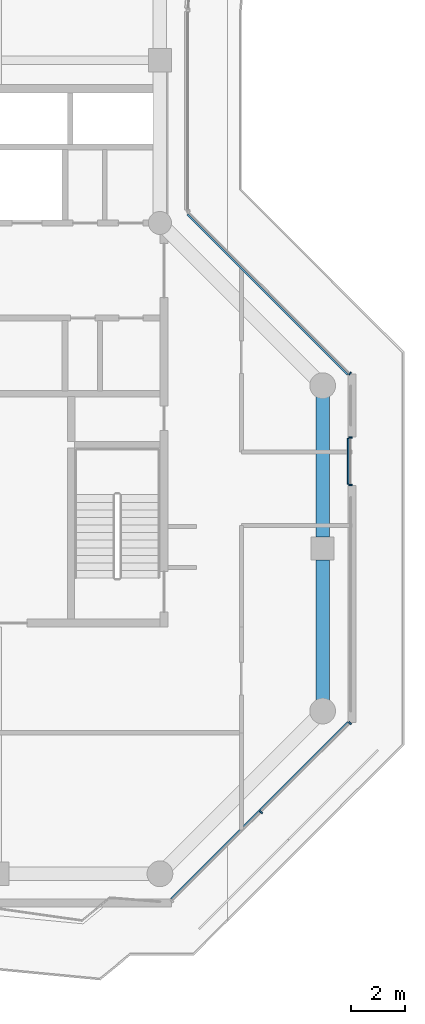
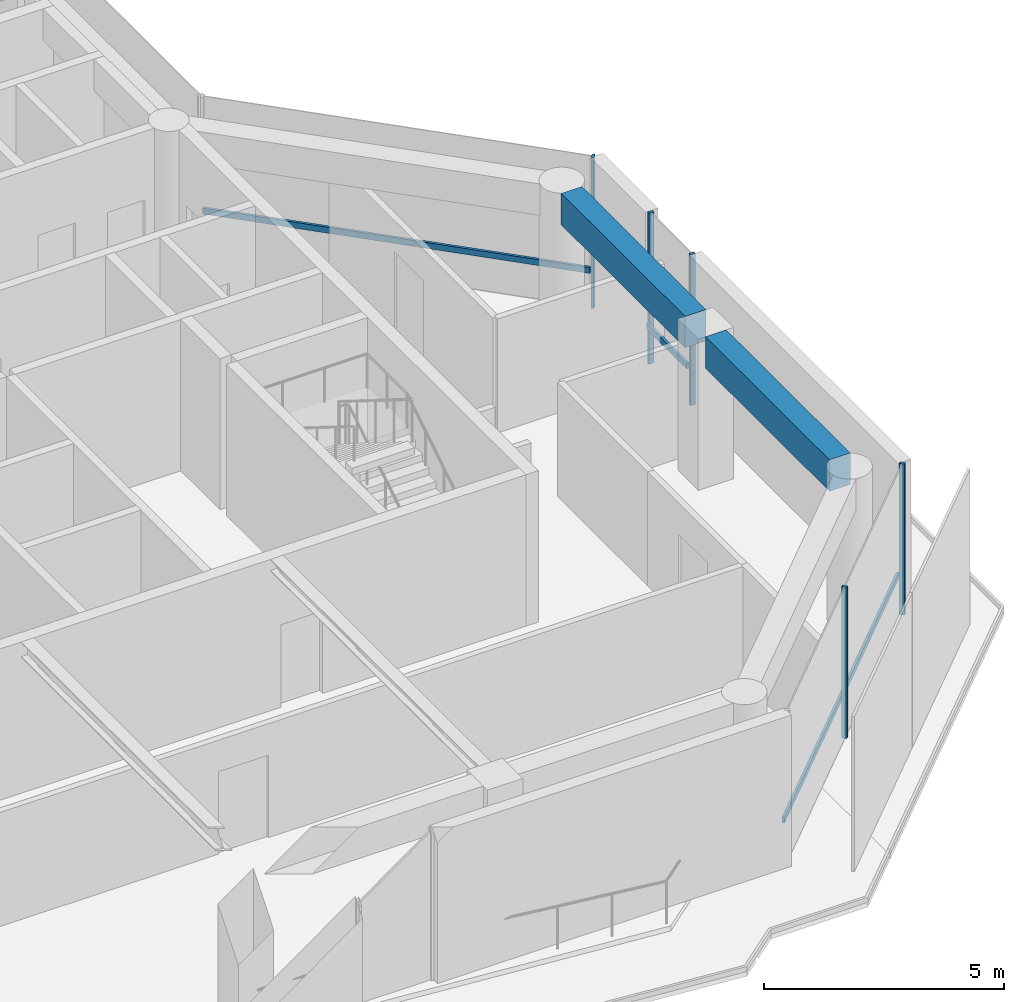
# One storey, part 6 of 25: 8 members, 2 beams, 3 elements without a shape of their own.
"""IFC4 building model written with IfcOpenShell, lengths in metres."""

import ifcopenshell
import ifcopenshell.guid

model = None  # the IFC model being written
_history = None  # IfcOwnerHistory: only IFC2X3 demands one
_inside = {}  # id of a spatial element -> (the spatial element, [elements in it])
_under = {}  # id of a project, library or spatial element -> (it, [spatial elements below it])
_declared = {}  # id of a project -> (the project, [libraries it declares])
_typed = {}  # id of a type object -> (the type object, [elements of that type])
_made_of = {}  # id of a material, layer set ... -> (it, [elements and type objects made of it])


def new_model(schema):
    """Start an empty IFC model of exactly this schema.

    Asked for "IFC4X3", IfcOpenShell would pick the latest addendum, in which some entities
    have other attributes; the version numbers below select the first issue.
    IFC2X3 requires an IfcOwnerHistory on every rooted entity: one is made here for all.
    """
    global model, _history
    if schema == "IFC4X3":
        model = ifcopenshell.file(schema_version=(4, 3, 0, 0))
    else:
        model = ifcopenshell.file(schema=schema)
    _inside.clear()
    _under.clear()
    _declared.clear()
    _typed.clear()
    _made_of.clear()
    _history = None
    if model.schema == "IFC2X3":
        org = make("IfcOrganization", Name="unknown")
        user = make(
            "IfcPersonAndOrganization",
            ThePerson=make("IfcPerson", FamilyName="unknown"),
            TheOrganization=org,
        )
        app = make(
            "IfcApplication",
            ApplicationDeveloper=org,
            Version="unknown",
            ApplicationFullName="unknown",
            ApplicationIdentifier="unknown",
        )
        _history = make(
            "IfcOwnerHistory",
            OwningUser=user,
            OwningApplication=app,
            ChangeAction="ADDED",
            CreationDate=0,
        )
    return model


def make(cls, **values):
    """One entity of the class cls with the attributes given. An attribute that is None is left unset."""
    return model.create_entity(
        cls, **{name: value for name, value in values.items() if value is not None}
    )


def rooted(cls, **values):
    """An entity with a GlobalId (a new one), such as an element, a storey or a relation."""
    return make(cls, GlobalId=ifcopenshell.guid.new(), OwnerHistory=_history, **values)


def si_unit(unit_type, name, prefix=None):
    """IfcSIUnit, for example si_unit("LENGTHUNIT", "METRE", prefix="MILLI")."""
    return make("IfcSIUnit", UnitType=unit_type, Prefix=prefix, Name=name)


def assignment(units):
    """IfcUnitAssignment: the units of a project."""
    return None if units is None else make("IfcUnitAssignment", Units=units)


def point(xyz):
    """IfcCartesianPoint."""
    return None if xyz is None else make("IfcCartesianPoint", Coordinates=xyz)


def direction(xyz):
    """IfcDirection."""
    return None if xyz is None else make("IfcDirection", DirectionRatios=xyz)


def frame(location, z_axis=None, x_axis=None):
    """IfcAxis2Placement3D, a coordinate frame: its origin and axes. An axis left out is left unset."""
    return make(
        "IfcAxis2Placement3D",
        Location=point(location),
        Axis=direction(z_axis),
        RefDirection=direction(x_axis),
    )


def frame_2d(location, x_axis=None):
    """IfcAxis2Placement2D, a coordinate frame in the plane: its origin and x axis."""
    return make(
        "IfcAxis2Placement2D", Location=point(location), RefDirection=direction(x_axis)
    )


def origin():
    """The frame at (0, 0, 0) with its axes left unset."""
    return frame((0.0, 0.0, 0.0))


def origin_2d():
    """The frame at (0, 0) in the plane with its x axis left unset."""
    return frame_2d((0.0, 0.0))


def place(relative_to, where):
    """IfcLocalPlacement: puts the frame where relative to a parent placement (None: the world)."""
    return make(
        "IfcLocalPlacement", PlacementRelTo=relative_to, RelativePlacement=where
    )


def context(
    kind, dimensions, precision=None, world=None, true_north=None, identifier=None
):
    """IfcGeometricRepresentationContext, for example the 3D "Model" context."""
    return make(
        "IfcGeometricRepresentationContext",
        ContextIdentifier=identifier,
        ContextType=kind,
        CoordinateSpaceDimension=dimensions,
        Precision=precision,
        WorldCoordinateSystem=world,
        TrueNorth=true_north,
    )


def subcontext(parent, identifier, kind, view, scale=None):
    """IfcGeometricRepresentationSubContext, for example "Body" below "Model"."""
    return make(
        "IfcGeometricRepresentationSubContext",
        ContextIdentifier=identifier,
        ContextType=kind,
        ParentContext=parent,
        TargetScale=scale,
        TargetView=view,
    )


def project(units=None, contexts=None):
    """IfcProject with its units and contexts."""
    return rooted(
        "IfcProject",
        Name="project",
        RepresentationContexts=contexts,
        UnitsInContext=assignment(units),
    )


def spatial(cls, under=None, at=None, **own):
    """A site, building, storey or space (cls), placed at a placement, below another one or the project."""
    s = rooted(cls, ObjectPlacement=at, **own)
    if under is not None:
        _under.setdefault(under.id(), (under, []))[1].append(s)
    return s


def profile(cls, at=None, kind="AREA", **sizes):
    """A parametric profile (cls). Its sizes go by their IFC names, for example OverallWidth=200.0."""
    return make(cls, ProfileType=kind, Position=at, **sizes)


def rectangle(**sizes):
    """IfcRectangleProfileDef."""
    return profile("IfcRectangleProfileDef", **sizes)


def extrude(swept, where, along, depth):
    """IfcExtrudedAreaSolid: the profile swept, set in the frame where, extruded along a direction by depth."""
    return make(
        "IfcExtrudedAreaSolid",
        SweptArea=swept,
        Position=where,
        ExtrudedDirection=direction(along),
        Depth=depth,
    )


def shape(context_of_items, identifier, shape_type, items):
    """IfcShapeRepresentation: the items that make up one representation, for example the "Body"."""
    return make(
        "IfcShapeRepresentation",
        ContextOfItems=context_of_items,
        RepresentationIdentifier=identifier,
        RepresentationType=shape_type,
        Items=items,
    )


def material(Name=None, Category=None):
    """IfcMaterial."""
    return make("IfcMaterial", Name=Name, Category=Category)


def layer(
    of_material, thickness, ventilated=None, Name=None, Category=None, Priority=None
):
    """IfcMaterialLayer: one layer of a wall or slab, of a material (None: an air gap)."""
    return make(
        "IfcMaterialLayer",
        Material=of_material,
        LayerThickness=thickness,
        IsVentilated=ventilated,
        Name=Name,
        Category=Category,
        Priority=Priority,
    )


def layer_set(layers, Name=None):
    """IfcMaterialLayerSet."""
    return make("IfcMaterialLayerSet", MaterialLayers=layers, LayerSetName=Name)


def material_profile(
    of_material, cross_section, Name=None, Category=None, Priority=None
):
    """IfcMaterialProfile: a cross section and its material."""
    return make(
        "IfcMaterialProfile",
        Name=Name,
        Material=of_material,
        Profile=cross_section,
        Priority=Priority,
        Category=Category,
    )


def profile_set(profiles, Name=None, composite=None):
    """IfcMaterialProfileSet."""
    return make(
        "IfcMaterialProfileSet",
        Name=Name,
        MaterialProfiles=profiles,
        CompositeProfile=composite,
    )


def made_of(thing, what):
    """Note that an element or type object is made of a material, layer set ...; save() writes the relation."""
    if what is not None:
        _made_of.setdefault(what.id(), (what, []))[1].append(thing)
    return thing


def type_object(cls, material=None, **own):
    """A type object (cls), such as IfcWallType, which elements share."""
    return made_of(rooted(cls, **own), material)


def element(
    cls,
    number,
    at=None,
    inside=None,
    cuts=None,
    type_object=None,
    material=None,
    context=None,
    identifier="Body",
    shape_type=None,
    held_by="IfcProductDefinitionShape",
    body=None,
    shapes=None,
    **own,
):
    """One element of the class cls, such as IfcWall. Its Tag is "e" and its number.

    at: its placement. inside: the storey or other place that contains it. cuts: it is an
    opening in that element (IfcRelVoidsElement). A single representation is given by context,
    identifier, shape_type and body (its items); several are given by shapes. held_by: the class
    of the entity that holds the representations. save() writes the other relations.
    """
    e = rooted(cls, Tag="e%d" % number, ObjectPlacement=at, **own)
    if body is not None:
        shapes = [shape(context, identifier, shape_type, body)]
    if shapes is not None:
        e.Representation = make(held_by, Representations=shapes)
    if inside is not None:
        _inside.setdefault(inside.id(), (inside, []))[1].append(e)
    if cuts is not None:
        rooted(
            "IfcRelVoidsElement", RelatingBuildingElement=cuts, RelatedOpeningElement=e
        )
    if type_object is not None:
        _typed.setdefault(type_object.id(), (type_object, []))[1].append(e)
    return made_of(e, material)


def aggregate(whole, parts):
    """IfcRelAggregates: a whole, such as a stair, and the parts it consists of."""
    return rooted("IfcRelAggregates", RelatingObject=whole, RelatedObjects=parts)


def save(model, path):
    """Write the relations noted so far, then the file.

    IfcRelAggregates (storeys below a building ...), IfcRelContainedInSpatialStructure (elements
    in a storey), IfcRelDefinesByType, IfcRelAssociatesMaterial and IfcRelDeclares: one each for
    every whole, place, type object, material and project.
    """
    for whole, parts in _under.values():
        aggregate(whole, parts)
    for where, things in _inside.values():
        rooted(
            "IfcRelContainedInSpatialStructure",
            RelatedElements=things,
            RelatingStructure=where,
        )
    for kind, things in _typed.values():
        rooted("IfcRelDefinesByType", RelatedObjects=things, RelatingType=kind)
    for what, things in _made_of.values():
        rooted("IfcRelAssociatesMaterial", RelatedObjects=things, RelatingMaterial=what)
    for by, libraries in _declared.values():
        rooted("IfcRelDeclares", RelatingContext=by, RelatedDefinitions=libraries)
    model.write(path)


model = new_model("IFC4")

# Units and contexts
model_context = context("Model", 3, precision=1e-05, world=origin(), true_north=direction((0.0, 1.0)))
body_context = subcontext(model_context, "Body", "Model", "MODEL_VIEW")
ifc_project = project(units=[si_unit("LENGTHUNIT", "METRE"), si_unit("AREAUNIT", "SQUARE_METRE"), si_unit("VOLUMEUNIT", "CUBIC_METRE"), si_unit("PLANEANGLEUNIT", "RADIAN"), si_unit("MASSUNIT", "GRAM", prefix="KILO")], contexts=[model_context])

# Site, building, storey
site_placement = place(None, origin())
site = spatial("IfcSite", under=ifc_project, at=site_placement, CompositionType="ELEMENT")
building_placement = place(site_placement, origin())
building = spatial("IfcBuilding", under=site, at=building_placement, Name="Welwitschia Terrace Campus", CompositionType="ELEMENT")
storey_placement = place(building_placement, frame((0.0, 0.0, 264.199951171875)))
storey = spatial("IfcBuildingStorey", under=building, at=storey_placement, Name="L58", CompositionType="ELEMENT", Elevation=264.199951171875)

# Curtain wall, members
ifc_material_1 = material(Name="Bronze anodised aluminium", Category="aluminium")
ifc_layer = layer(ifc_material_1, 0.1201171875)
ifc_layer_set = layer_set([ifc_layer], Name="Bronze anodised aluminium")
curtain_wall_type = type_object("IfcCurtainWallType", Name="Curtain wall CW2 tower 6000", PredefinedType="NOTDEFINED", material=ifc_layer_set)
curtain_wall_1_placement = place(storey_placement, origin())
curtain_wall_1 = element("IfcCurtainWall", 1, at=curtain_wall_1_placement, inside=storey, type_object=curtain_wall_type, Name="CW L58.6.0", PredefinedType="NOTDEFINED")
ifc_material_2 = material(Name="Bronze anodised aluminium", Category="aluminium")
ifc_material_profile_1 = material_profile(ifc_material_2, rectangle(XDim=0.1201171875, YDim=0.06005859375, at=origin_2d()))
ifc_profile_set_1 = profile_set([ifc_material_profile_1], Name="Bronze anodised aluminium")
member_type_1 = type_object("IfcMemberType", Name="Mullion 60x120", PredefinedType="MULLION", material=ifc_profile_set_1)
member_1_placement = place(storey_placement, frame((27.728271484375, -1.728271484375, 0.0), z_axis=(0.0, 0.0, 1.0), x_axis=(-0.707106781187, 0.707106781187, 0.0)))
member_1 = element("IfcMember", 2, at=member_1_placement, type_object=member_type_1, Name="Mullion L58.6.0.1", PredefinedType="MULLION", context=body_context, shape_type="SweptSolid", body=[
    extrude(rectangle(XDim=0.1201171875, YDim=0.06005859375, at=origin_2d()), origin(), (0.0, 0.0, 1.0), 3.85009765625),
])
member_2_placement = place(storey_placement, frame((31.0087890625, 1.55224609375, 0.0), z_axis=(0.0, 0.0, 1.0), x_axis=(-0.707106781187, 0.707106781187, 0.0)))
member_2 = element("IfcMember", 3, at=member_2_placement, type_object=member_type_1, Name="Mullion L58.6.0.2", PredefinedType="MULLION", context=body_context, shape_type="SweptSolid", body=[
    extrude(rectangle(XDim=0.1201171875, YDim=0.06005859375, at=origin_2d()), origin(), (0.0, 0.0, 1.0), 3.85009765625),
])

curtain_wall_2_placement = place(storey_placement, origin())
curtain_wall_2 = element("IfcCurtainWall", 4, at=curtain_wall_2_placement, inside=storey, type_object=curtain_wall_type, Name="CW L58.7.S0", PredefinedType="NOTDEFINED")
member_3_placement = place(storey_placement, frame((31.030029296875, 10.34326171875, 0.0), z_axis=(0.0, 0.0, 1.0), x_axis=(-1.0, 0.0, 0.0)))
member_3 = element("IfcMember", 5, at=member_3_placement, type_object=member_type_1, Name="Mullion L58.7.S0.0", PredefinedType="MULLION", context=body_context, shape_type="SweptSolid", body=[
    extrude(rectangle(XDim=0.1201171875, YDim=0.06005859375, at=origin_2d()), origin(), (0.0, 0.0, 1.0), 3.85009765625),
])
member_4_placement = place(storey_placement, frame((31.030029296875, 12.083251953125, 0.0), z_axis=(0.0, 0.0, 1.0), x_axis=(-1.0, 0.0, 0.0)))
member_4 = element("IfcMember", 6, at=member_4_placement, type_object=member_type_1, Name="Mullion L58.7.S0.1", PredefinedType="MULLION", context=body_context, shape_type="SweptSolid", body=[
    extrude(rectangle(XDim=0.1201171875, YDim=0.06005859375, at=origin_2d()), origin(), (0.0, 0.0, 1.0), 3.85009765625),
])

# Curtain wall, member
curtain_wall_3_placement = place(storey_placement, origin())
curtain_wall_3 = element("IfcCurtainWall", 7, at=curtain_wall_3_placement, inside=storey, type_object=curtain_wall_type, Name="CW L58.8.0", PredefinedType="NOTDEFINED")
member_5_placement = place(storey_placement, frame((31.0087890625, 14.44775390625, 0.0), z_axis=(0.0, 0.0, 1.0), x_axis=(-0.707106781187, -0.707106781187, 0.0)))
member_5 = element("IfcMember", 8, at=member_5_placement, type_object=member_type_1, Name="Mullion L58.8.0.0", PredefinedType="MULLION", context=body_context, shape_type="SweptSolid", body=[
    extrude(rectangle(XDim=0.1201171875, YDim=0.06005859375, at=origin_2d()), origin(), (0.0, 0.0, 1.0), 3.85009765625),
])

# Beams
ifc_material_3 = material(Name="Concrete C50/60", Category="concrete")
ifc_material_profile_2 = material_profile(ifc_material_3, rectangle(XDim=0.5, YDim=0.800048828125, at=origin_2d()))
ifc_profile_set_2 = profile_set([ifc_material_profile_2], Name="Concrete C50/60")
beam_type = type_object("IfcBeamType", Name="Ring spandrel 500x800", PredefinedType="SPANDREL", material=ifc_profile_set_2)
for number, where, z_axis, x_axis, name in (
    (9, (30.0, 2.404541015625, 3.449951171875), (0.0, 1.0, 0.0), (-1.0, 0.0, 0.0), "Spandrel SP4"),
    (10, (30.0, 8.425537109375, 3.449951171875), (0.0, 1.0, 0.0), (-1.0, 0.0, 0.0), "Spandrel SP4"),
):
    element("IfcBeam", number, at=place(storey_placement, frame(where, z_axis=z_axis, x_axis=x_axis)), inside=storey, type_object=beam_type, Name=name, PredefinedType="SPANDREL", context=body_context, shape_type="SweptSolid", body=[
        extrude(rectangle(XDim=0.5, YDim=0.800048828125, at=origin_2d()), origin(), (0.0, 0.0, 1.0), 5.169921875),
    ])

# Member
ifc_material_4 = material(Name="Bronze anodised aluminium", Category="aluminium")
ifc_material_profile_3 = material_profile(ifc_material_4, rectangle(XDim=0.06005859375, YDim=0.14990234375, at=origin_2d()))
ifc_profile_set_3 = profile_set([ifc_material_profile_3], Name="Bronze anodised aluminium")
member_type_2 = type_object("IfcMemberType", Name="Transom 60x150", PredefinedType="USERDEFINED", material=ifc_profile_set_3)
member_6_placement = place(storey_placement, frame((24.405517578125, -4.923828125, 1.0), z_axis=(0.707106781187, 0.707106781187, 0.0), x_axis=(-0.707106781187, 0.707106781187, 0.0)))
member_6 = element("IfcMember", 11, at=member_6_placement, type_object=member_type_2, Name="Transom L58.6.0", ObjectType="TRANSOM", PredefinedType="USERDEFINED", context=body_context, shape_type="SweptSolid", body=[
    extrude(rectangle(XDim=0.06005859375, YDim=0.14990234375, at=origin_2d()), origin(), (0.0, 0.0, 1.0), 9.21826171875),
])

aggregate(curtain_wall_1, [member_1, member_2, member_6])

member_7_placement = place(storey_placement, frame((30.93994140625, 10.373291015625, 1.0), z_axis=(0.0, 1.0, 0.0), x_axis=(-1.0, 0.0, 0.0)))
member_7 = element("IfcMember", 12, at=member_7_placement, type_object=member_type_2, Name="Transom L58.7.S0", ObjectType="TRANSOM", PredefinedType="USERDEFINED", context=body_context, shape_type="SweptSolid", body=[
    extrude(rectangle(XDim=0.06005859375, YDim=0.14990234375, at=origin_2d()), origin(), (0.0, 0.0, 1.0), 1.679931640625),
])

aggregate(curtain_wall_2, [member_3, member_4, member_7])

member_8_placement = place(storey_placement, frame((30.923828125, 14.405517578125, 1.0), z_axis=(-0.707106781187, 0.707106781187, 0.0), x_axis=(-0.707106781187, -0.707106781187, 0.0)))
member_8 = element("IfcMember", 13, at=member_8_placement, type_object=member_type_2, Name="Transom L58.8.0", ObjectType="TRANSOM", PredefinedType="USERDEFINED", context=body_context, shape_type="SweptSolid", body=[
    extrude(rectangle(XDim=0.06005859375, YDim=0.14990234375, at=origin_2d()), origin(), (0.0, 0.0, 1.0), 8.365234375),
])

aggregate(curtain_wall_3, [member_5, member_8])

save(model, "model.ifc")
